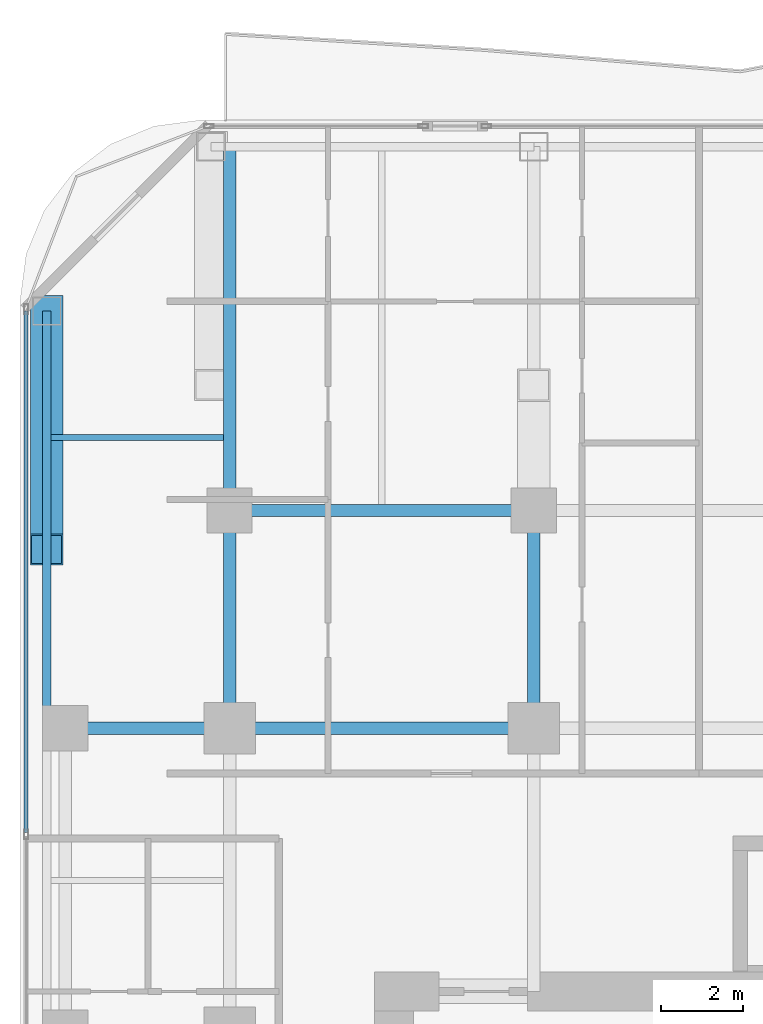
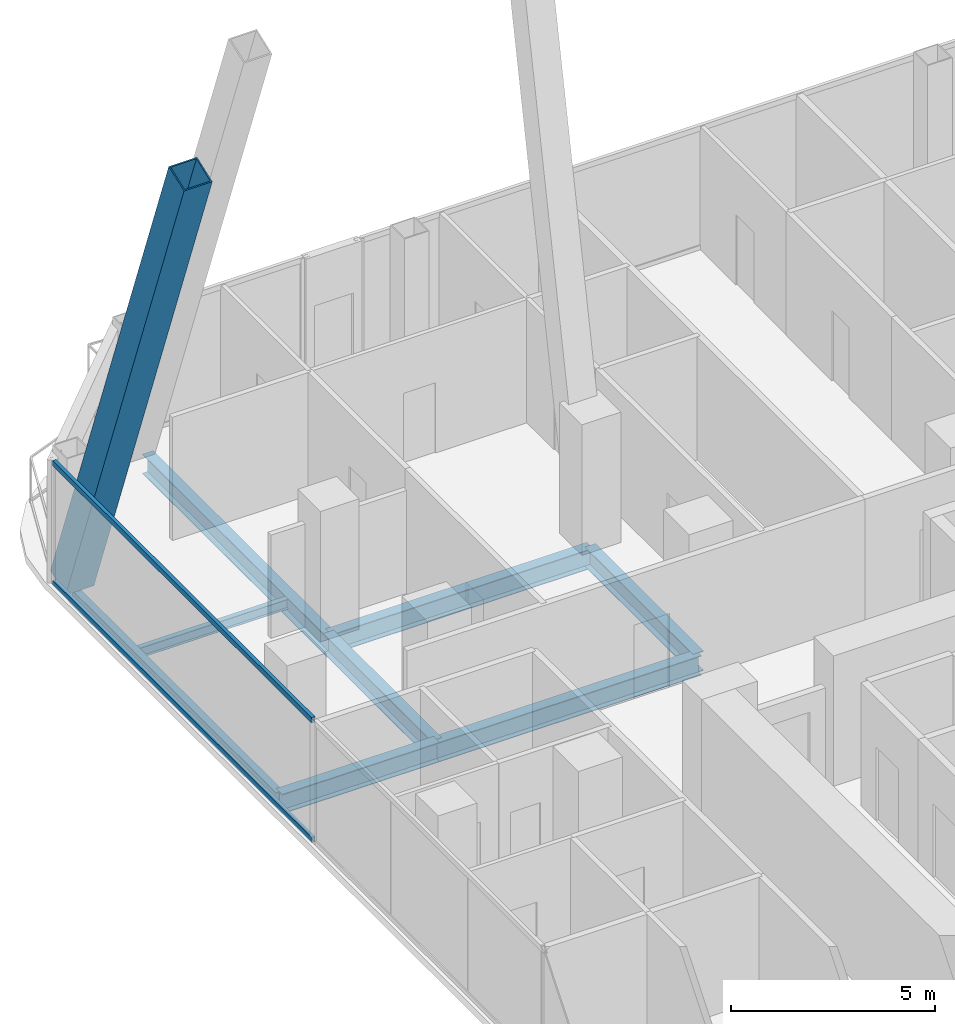
# One storey, part 13 of 28: 8 beams, 3 members, 1 element without a shape of its own.
"""IFC4 building model written with IfcOpenShell, lengths in metres."""

from ifc_helpers import new_model, si_unit, direction, frame, origin, origin_2d, place, context, subcontext, project, spatial, hollow_rectangle, i_section, extrude, material, layer, layer_set, material_profile, profile_set, type_object, element, aggregate, save


model = new_model("IFC4")

# Units and contexts
model_context = context("Model", 3, precision=1e-05, world=origin(), true_north=direction((0.0, 1.0)))
body_context = subcontext(model_context, "Body", "Model", "MODEL_VIEW")
ifc_project = project(units=[si_unit("LENGTHUNIT", "METRE"), si_unit("AREAUNIT", "SQUARE_METRE"), si_unit("VOLUMEUNIT", "CUBIC_METRE"), si_unit("PLANEANGLEUNIT", "RADIAN"), si_unit("MASSUNIT", "GRAM", prefix="KILO")], contexts=[model_context])

# Site, building, storey
site_placement = place(None, origin())
site = spatial("IfcSite", under=ifc_project, at=site_placement, CompositionType="ELEMENT")
building_placement = place(site_placement, origin())
building = spatial("IfcBuilding", under=site, at=building_placement, Name="Khorvyn Point Tower", CompositionType="ELEMENT")
storey_placement = place(building_placement, frame((0.0, 0.0, 121.199951171875)))
storey = spatial("IfcBuildingStorey", under=building, at=storey_placement, Name="L30", CompositionType="ELEMENT", Elevation=121.199951171875)

# Curtain wall, members
ifc_material_1 = material(Name="Anodised aluminium 6063-T6 and laminated Low-E glass", Category="aluminium")
ifc_layer = layer(ifc_material_1, 0.18994140625)
ifc_layer_set = layer_set([ifc_layer], Name="Stick-Built Acoustic Curtain Wall CW-SYS-03")
curtain_wall_type = type_object("IfcCurtainWallType", Name="Stick-Built Acoustic Curtain Wall CW-SYS-03", PredefinedType="NOTDEFINED", material=ifc_layer_set)
curtain_wall_placement = place(storey_placement, origin())
curtain_wall = element("IfcCurtainWall", 1, at=curtain_wall_placement, inside=storey, type_object=curtain_wall_type, Name="Curtain Wall", PredefinedType="NOTDEFINED")
ifc_material_2 = material(Name="Anodised aluminium 6063-T6", Category="aluminium")
ifc_material_profile_1 = material_profile(ifc_material_2, hollow_rectangle(XDim=0.10009765625, YDim=0.159912109375, WallThickness=0.00439453125, at=origin_2d()))
ifc_profile_set_1 = profile_set([ifc_material_profile_1], Name="Anodised aluminium 6063-T6 ALU-TRN-100x160")
member_type_1 = type_object("IfcMemberType", Name="Anodised Aluminium 6063-T6 Transom ALU-TRN-100x160", PredefinedType="USERDEFINED", material=ifc_profile_set_1)
member_1_placement = place(storey_placement, frame((-19.75, 12.2666015625, 0.050048828125), z_axis=(0.0, 1.0, 0.0), x_axis=(-1.0, 0.0, 0.0)))
member_1 = element("IfcMember", 2, at=member_1_placement, type_object=member_type_1, Name="Transom", ObjectType="TRANSOM", PredefinedType="USERDEFINED", context=body_context, shape_type="SweptSolid", body=[
    extrude(hollow_rectangle(XDim=0.10009765625, YDim=0.159912109375, WallThickness=0.00439453125, at=origin_2d()), origin(), (0.0, 0.0, 1.0), 12.683349609375),
])
member_2_placement = place(storey_placement, frame((-19.75, 12.2666015625, 3.630126953125), z_axis=(0.0, 1.0, 0.0), x_axis=(-1.0, 0.0, 0.0)))
member_2 = element("IfcMember", 3, at=member_2_placement, type_object=member_type_1, Name="Transom", ObjectType="TRANSOM", PredefinedType="USERDEFINED", context=body_context, shape_type="SweptSolid", body=[
    extrude(hollow_rectangle(XDim=0.10009765625, YDim=0.159912109375, WallThickness=0.00439453125, at=origin_2d()), origin(), (0.0, 0.0, 1.0), 12.683349609375),
])
aggregate(curtain_wall, [member_1, member_2])

# Beams
ifc_material_3 = material(Name="Steel S355", Category="steel")
ifc_material_profile_2 = material_profile(ifc_material_3, i_section(OverallWidth=0.300048828125, OverallDepth=0.587890625, WebThickness=0.011962890625, FlangeThickness=0.02001953125, at=origin_2d()))
ifc_profile_set_2 = profile_set([ifc_material_profile_2], Name="Steel S355 H588x300x12x20")
beam_type_1 = type_object("IfcBeamType", Name="Steel S355 Beam H588x300x12x20", PredefinedType="BEAM", material=ifc_profile_set_2)
beam_1_placement = place(storey_placement, frame((-19.25, 14.800048828125, -0.513916015625), z_axis=(1.0, 0.0, 0.0), x_axis=(0.0, 1.0, 0.0)))
element("IfcBeam", 4, at=beam_1_placement, inside=storey, type_object=beam_type_1, Name="Beam", PredefinedType="BEAM", context=body_context, shape_type="SweptSolid", body=[
    extrude(i_section(OverallWidth=0.300048828125, OverallDepth=0.587890625, WebThickness=0.011962890625, FlangeThickness=0.02001953125, at=origin_2d()), origin(), (0.0, 0.0, 1.0), 4.449951171875),
])
for number, where, z_axis, x_axis, name in (
    (5, (-14.800048828125, 14.800048828125, -0.513916015625), (1.0, 0.0, 0.0), (0.0, 1.0, 0.0), "Beam"),
    (6, (-14.800048828125, 20.10009765625, -0.513916015625), (1.0, 0.0, 0.0), (0.0, 1.0, 0.0), "Beam"),
):
    element("IfcBeam", number, at=place(storey_placement, frame(where, z_axis=z_axis, x_axis=x_axis)), inside=storey, type_object=beam_type_1, Name=name, PredefinedType="BEAM", context=body_context, shape_type="SweptSolid", body=[
        extrude(i_section(OverallWidth=0.300048828125, OverallDepth=0.587890625, WebThickness=0.011962890625, FlangeThickness=0.02001953125, at=origin_2d()), origin(), (0.0, 0.0, 1.0), 7.400146484375),
    ])
beam_2_placement = place(storey_placement, frame((-14.800048828125, 14.800048828125, -0.513916015625), z_axis=(0.0, 1.0, 0.0), x_axis=(-1.0, 0.0, 0.0)))
element("IfcBeam", 7, at=beam_2_placement, inside=storey, type_object=beam_type_1, Name="Beam", PredefinedType="BEAM", context=body_context, shape_type="SweptSolid", body=[
    extrude(i_section(OverallWidth=0.300048828125, OverallDepth=0.587890625, WebThickness=0.011962890625, FlangeThickness=0.02001953125, at=origin_2d()), origin(), (0.0, 0.0, 1.0), 5.300048828125),
])
beam_3_placement = place(storey_placement, frame((-14.800048828125, 20.10009765625, -0.513916015625), z_axis=(0.0, 1.0, 0.0), x_axis=(-1.0, 0.0, 0.0)))
element("IfcBeam", 8, at=beam_3_placement, inside=storey, type_object=beam_type_1, Name="Beam", PredefinedType="BEAM", context=body_context, shape_type="SweptSolid", body=[
    extrude(i_section(OverallWidth=0.300048828125, OverallDepth=0.587890625, WebThickness=0.011962890625, FlangeThickness=0.02001953125, at=origin_2d()), origin(), (0.0, 0.0, 1.0), 8.849853515625),
])
beam_4_placement = place(storey_placement, frame((-7.39990234375, 14.800048828125, -0.513916015625), z_axis=(0.0, 1.0, 0.0), x_axis=(-1.0, 0.0, 0.0)))
element("IfcBeam", 9, at=beam_4_placement, inside=storey, type_object=beam_type_1, Name="Beam", PredefinedType="BEAM", context=body_context, shape_type="SweptSolid", body=[
    extrude(i_section(OverallWidth=0.300048828125, OverallDepth=0.587890625, WebThickness=0.011962890625, FlangeThickness=0.02001953125, at=origin_2d()), origin(), (0.0, 0.0, 1.0), 5.300048828125),
])
ifc_material_profile_3 = material_profile(ifc_material_3, i_section(OverallWidth=0.14990234375, OverallDepth=0.300048828125, WebThickness=0.006591796875, FlangeThickness=0.009033203125, at=origin_2d()))
ifc_profile_set_3 = profile_set([ifc_material_profile_3], Name="Steel S355 H300x150x6.5x9")
beam_type_2 = type_object("IfcBeamType", Name="Steel S355 Joist H300x150x6.5x9", PredefinedType="JOIST", material=ifc_profile_set_3)
beam_5_placement = place(storey_placement, frame((-19.14990234375, 21.875, -0.369873046875), z_axis=(1.0, 0.0, 0.0), x_axis=(0.0, 1.0, 0.0)))
element("IfcBeam", 10, at=beam_5_placement, inside=storey, type_object=beam_type_2, Name="Beam", PredefinedType="JOIST", context=body_context, shape_type="SweptSolid", body=[
    extrude(i_section(OverallWidth=0.14990234375, OverallDepth=0.300048828125, WebThickness=0.006591796875, FlangeThickness=0.009033203125, at=origin_2d()), origin(), (0.0, 0.0, 1.0), 4.199951171875),
])
ifc_material_profile_4 = material_profile(ifc_material_3, i_section(OverallWidth=0.199951171875, OverallDepth=0.449951171875, WebThickness=0.009033203125, FlangeThickness=0.013916015625, at=origin_2d()))
ifc_profile_set_4 = profile_set([ifc_material_profile_4], Name="Steel S355 H450x200x9x14")
beam_type_3 = type_object("IfcBeamType", Name="Steel S355 Spandrel H450x200x9x14", PredefinedType="SPANDREL", material=ifc_profile_set_4)
beam_6_placement = place(storey_placement, frame((-19.25, 14.800048828125, -0.445068359375), z_axis=(0.0, 1.0, 0.0), x_axis=(-1.0, 0.0, 0.0)))
element("IfcBeam", 11, at=beam_6_placement, inside=storey, type_object=beam_type_3, Name="Beam", PredefinedType="SPANDREL", context=body_context, shape_type="SweptSolid", body=[
    extrude(i_section(OverallWidth=0.199951171875, OverallDepth=0.449951171875, WebThickness=0.009033203125, FlangeThickness=0.013916015625, at=origin_2d()), origin(), (0.0, 0.0, 1.0), 10.14990234375),
])

# Member
ifc_material_4 = material(Name="Steel S450", Category="steel")
ifc_material_profile_5 = material_profile(ifc_material_4, hollow_rectangle(XDim=0.800048828125, YDim=0.800048828125, WallThickness=0.035888671875, at=origin_2d()))
ifc_profile_set_5 = profile_set([ifc_material_profile_5], Name="Steel S450 BOX800x800x36")
member_type_2 = type_object("IfcMemberType", Name="Steel S450 Exoskeleton Structural Post BOX800x800x36", PredefinedType="POST", material=ifc_profile_set_5)
member_3_placement = place(storey_placement, frame((-19.25, 24.949951171875, 0.0), z_axis=(0.0, -0.348488886408, 0.937312912559), x_axis=(1.0, 0.0, 0.0)))
element("IfcMember", 12, at=member_3_placement, inside=storey, type_object=member_type_2, Name="L30 to L34 Exoskeleton Transfer Post 06", PredefinedType="POST", context=body_context, shape_type="SweptSolid", body=[
    extrude(hollow_rectangle(XDim=0.800048828125, YDim=0.800048828125, WallThickness=0.035888671875, at=origin_2d()), origin(), (0.0, 0.0, 1.0), 16.643310546875),
])

save(model, "model.ifc")
